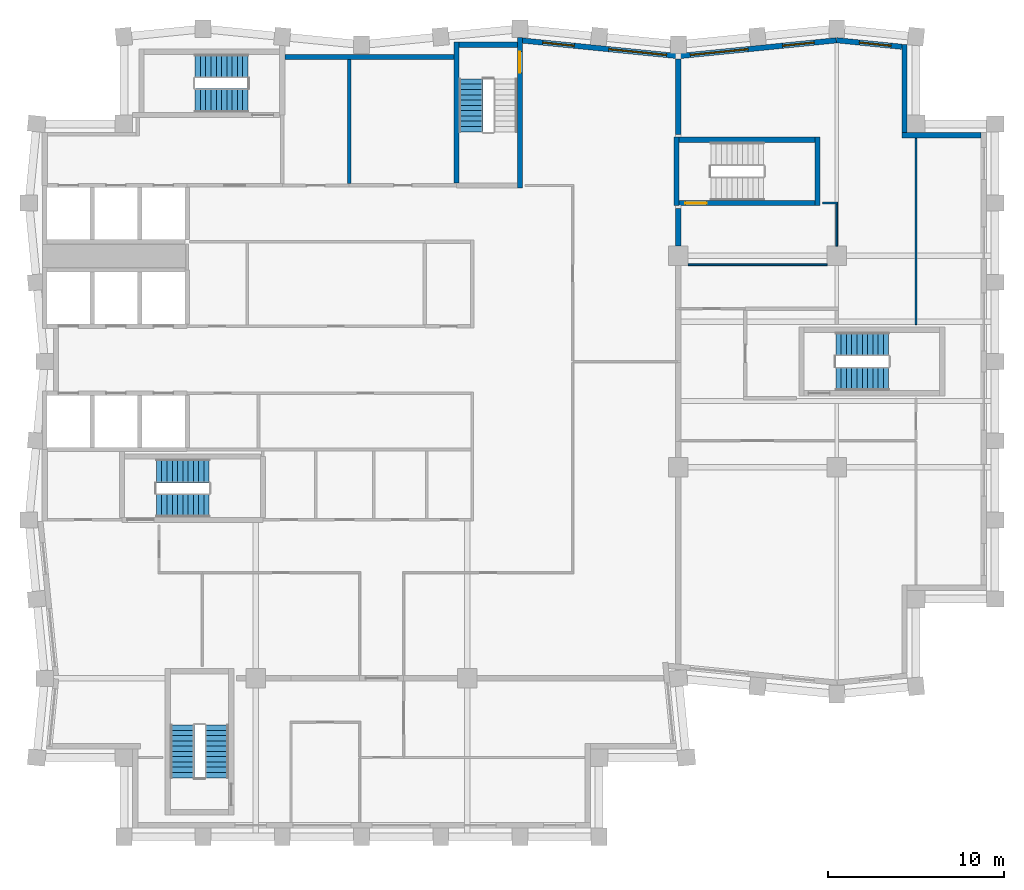
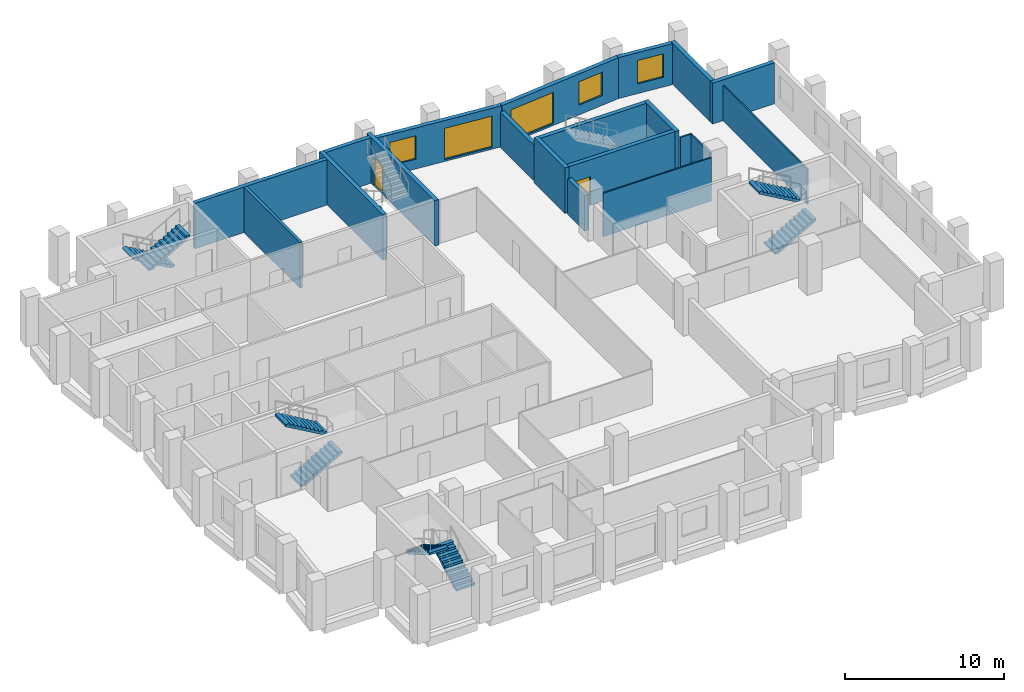
# One storey, part 6 of 8: 20 walls, 9 stair flights, 5 windows, 2 doors, 7 openings, 5 elements without a shape of their own.
"""IFC4 building model written with IfcOpenShell, lengths in metres."""

from ifc_helpers import new_model, si_unit, direction, frame, frame_2d, origin, place, context, subcontext, project, spatial, polyline, rectangle, outline, extrude, material, layer, layer_set, type_object, element, fill, aggregate, save


model = new_model("IFC4")

# Units and contexts
model_context = context("Model", 3, precision=1e-05, world=origin(), true_north=direction((0.0, 1.0)))
body_context = subcontext(model_context, "Body", "Model", "MODEL_VIEW")
ifc_project = project(units=[si_unit("LENGTHUNIT", "METRE"), si_unit("AREAUNIT", "SQUARE_METRE"), si_unit("VOLUMEUNIT", "CUBIC_METRE"), si_unit("PLANEANGLEUNIT", "RADIAN"), si_unit("MASSUNIT", "GRAM", prefix="KILO")], contexts=[model_context])

# Site, building, storey
site_placement = place(None, origin())
site = spatial("IfcSite", under=ifc_project, at=site_placement, CompositionType="ELEMENT")
building_placement = place(site_placement, origin())
building = spatial("IfcBuilding", under=site, at=building_placement, Name="Brondeck Convention Tower", CompositionType="ELEMENT")
storey_placement = place(building_placement, frame((0.0, 0.0, 240.60009765625)))
storey = spatial("IfcBuildingStorey", under=building, at=storey_placement, Name="L59", CompositionType="ELEMENT", Elevation=240.60009765625)

# Walls
ifc_material_1 = material(Name="Concrete compartment wall C30/37", Category="concrete")
ifc_layer_1 = layer(ifc_material_1, 0.300048828125)
ifc_layer_set_1 = layer_set([ifc_layer_1], Name="Compartment wall 300")
wall_type_1 = type_object("IfcWallType", Name="Compartment wall 300", PredefinedType="PARTITIONING", material=ifc_layer_set_1)
wall_1_placement = place(storey_placement, frame((36.0, 51.554931640625, 0.0), z_axis=(0.0, 0.0, 1.0), x_axis=(0.0, 1.0, 0.0)))
element("IfcWall", 1, at=wall_1_placement, inside=storey, type_object=wall_type_1, Name="FLR-L59-W045", PredefinedType="PARTITIONING", context=body_context, shape_type="SweptSolid", body=[
    extrude(rectangle(XDim=2.14501953125, YDim=0.300048828125, at=frame_2d((1.072509765625, 0.0))), origin(), (0.0, 0.0, 1.0), 2.72998046875),
])
wall_2_placement = place(storey_placement, frame((36.0, 57.89990234375, 0.0), z_axis=(0.0, 0.0, 1.0), x_axis=(0.0, 1.0, 0.0)))
element("IfcWall", 2, at=wall_2_placement, inside=storey, type_object=wall_type_1, Name="FLR-L59-W050", PredefinedType="PARTITIONING", context=body_context, shape_type="SweptSolid", body=[
    extrude(rectangle(XDim=4.2763671875, YDim=0.300048828125, at=frame_2d((2.13818359375, 0.0))), origin(), (0.0, 0.0, 1.0), 2.72998046875),
])
ifc_material_2 = material(Name="Concrete C50/60", Category="concrete")
ifc_layer_2 = layer(ifc_material_2, 0.300048828125)
ifc_layer_set_2 = layer_set([ifc_layer_2], Name="Core outer wall 300 Concrete C50/60")
wall_type_2 = type_object("IfcWallType", Name="Core outer wall 300 Concrete C50/60", PredefinedType="SHEAR", material=ifc_layer_set_2)
wall_3_placement = place(storey_placement, frame((13.64990234375, 62.300048828125, 0.0), z_axis=(0.0, 0.0, 1.0), x_axis=(1.0, 0.0, 0.0)))
element("IfcWall", 3, at=wall_3_placement, inside=storey, type_object=wall_type_2, Name="L59 core wall", PredefinedType="SHEAR", context=body_context, shape_type="SweptSolid", body=[
    extrude(rectangle(XDim=9.60009765625, YDim=0.300048828125, at=frame_2d((4.800048828125, 0.0))), origin(), (0.0, 0.0, 1.0), 3.5),
])
ifc_material_3 = material(Name="Precast concrete C50/60 bronze finish", Category="concrete")
ifc_layer_3 = layer(ifc_material_3, 0.070068359375, Name="Bronze precast facing")
ifc_material_4 = material(Name="Mineral wool")
ifc_layer_4 = layer(ifc_material_4, 0.159912109375, Name="Insulation")
ifc_material_5 = material(Name="Concrete C35/45", Category="concrete")
ifc_layer_5 = layer(ifc_material_5, 0.070068359375, Name="Backing")
ifc_layer_set_3 = layer_set([ifc_layer_3, ifc_layer_4, ifc_layer_5], Name="External infill wall, precast concrete C50/60 bronze facing")
wall_type_3 = type_object("IfcWallType", Name="External infill wall, precast concrete C50/60 bronze facing", PredefinedType="SOLIDWALL", material=ifc_layer_set_3)
wall_4_placement = place(storey_placement, frame((48.699951171875, 57.85009765625, 0.0), z_axis=(0.0, 0.0, 1.0), x_axis=(1.0, 0.0, 0.0)))
element("IfcWall", 4, at=wall_4_placement, inside=storey, type_object=wall_type_3, Name="ENV-EW-L59-P2-NC-NEA54-01", PredefinedType="SOLIDWALL", context=body_context, shape_type="SweptSolid", body=[
    extrude(rectangle(XDim=4.501953125, YDim=0.300048828125, at=frame_2d((2.2509765625, 0.0))), origin(), (0.0, 0.0, 1.0), 3.14990234375),
])
wall_5_placement = place(storey_placement, frame((48.85009765625, 62.99755859375, 0.0), z_axis=(0.0, 0.0, 1.0), x_axis=(0.0, -1.0, 0.0)))
element("IfcWall", 5, at=wall_5_placement, inside=storey, type_object=wall_type_3, Name="ENV-EW-L59-P2-NC-NEA54-02", PredefinedType="SOLIDWALL", context=body_context, shape_type="SweptSolid", body=[
    extrude(rectangle(XDim=4.99951171875, YDim=0.300048828125, at=frame_2d((2.499755859375, 0.0))), origin(), (0.0, 0.0, 1.0), 3.14990234375),
])

# Wall, opening, window
wall_6_placement = place(storey_placement, frame((44.985107421875, 63.248291015625, 0.0), z_axis=(0.0, 0.0, 1.0), x_axis=(0.995037837869, -0.099497242219, 0.0)))
wall_6 = element("IfcWall", 6, at=wall_6_placement, inside=storey, type_object=wall_type_3, Name="ENV-EW-L59-P2-A-N-10", PredefinedType="SOLIDWALL", context=body_context, shape_type="SweptSolid", body=[
    extrude(rectangle(XDim=3.732177734375, YDim=0.300048828125, at=frame_2d((1.8662109375, 0.0))), origin(), (0.0, 0.0, 1.0), 3.14990234375),
])
opening_1_placement = place(wall_6_placement, frame((1.311279296875, 0.0, 0.75)))
opening_1 = element("IfcOpeningElement", 7, at=opening_1_placement, cuts=wall_6, Name="Opening W10", PredefinedType="OPENING", context=body_context, shape_type="SweptSolid", body=[
    extrude(rectangle(XDim=1.800048828125, YDim=1.800048828125, at=frame_2d((0.89990234375, 0.89990234375))), frame((0.0, 0.159912109375, 0.0), z_axis=(0.0, -1.0, 0.0), x_axis=(1.0, 0.0, 0.0)), (0.0, 0.0, 1.0), 0.320068359375),
])
ifc_material_6 = material(Name="Bronze tinted double glazing", Category="glass")
window_type_1 = type_object("IfcWindowType", Name="Punched window, bronze tinted", PartitioningType="SINGLE_PANEL", PredefinedType="WINDOW", material=ifc_material_6)
window_1_placement = place(opening_1_placement, origin())
window_1 = element("IfcWindow", 8, at=window_1_placement, inside=storey, type_object=window_type_1, Name="ENV-WN-L59-P2-A-N-10", OverallHeight=1.800048828125, OverallWidth=1.800048828125, PartitioningType="SINGLE_PANEL", PredefinedType="WINDOW", context=body_context, shape_type="SweptSolid", body=[
    extrude(rectangle(XDim=1.800048828125, YDim=1.800048828125, at=frame_2d((0.89990234375, 0.89990234375))), frame((0.0, 0.030029296875, 0.0), z_axis=(0.0, -1.0, 0.0), x_axis=(1.0, 0.0, 0.0)), (0.0, 0.0, 1.0), 0.06005859375),
])
fill(opening_1, window_1)

# Wall, openings, windows
wall_7_placement = place(storey_placement, frame((35.985107421875, 62.34521484375, 0.0), z_axis=(0.0, 0.0, 1.0), x_axis=(0.995035316196, 0.099522457379, 0.0)))
wall_7 = element("IfcWall", 9, at=wall_7_placement, inside=storey, type_object=wall_type_3, Name="ENV-EW-L59-P2-A-N-09", PredefinedType="SOLIDWALL", context=body_context, shape_type="SweptSolid", body=[
    extrude(rectangle(XDim=9.030029296875, YDim=0.300048828125, at=frame_2d((4.51513671875, 0.0))), origin(), (0.0, 0.0, 1.0), 3.14990234375),
])
opening_2_placement = place(wall_7_placement, frame((0.691162109375, 0.0, 0.14990234375)))
opening_2 = element("IfcOpeningElement", 10, at=opening_2_placement, cuts=wall_7, Name="Opening W9", PredefinedType="OPENING", context=body_context, shape_type="SweptSolid", body=[
    extrude(rectangle(XDim=3.300048828125, YDim=2.39990234375, at=frame_2d((1.64990234375, 1.199951171875))), frame((0.0, 0.159912109375, 0.0), z_axis=(0.0, -1.0, 0.0), x_axis=(1.0, 0.0, 0.0)), (0.0, 0.0, 1.0), 0.320068359375),
])
opening_3_placement = place(wall_7_placement, frame((5.963623046875, 0.0, 0.75)))
opening_3 = element("IfcOpeningElement", 11, at=opening_3_placement, cuts=wall_7, Name="Opening W10", PredefinedType="OPENING", context=body_context, shape_type="SweptSolid", body=[
    extrude(rectangle(XDim=1.800048828125, YDim=1.800048828125, at=frame_2d((0.89990234375, 0.89990234375))), frame((0.0, 0.159912109375, 0.0), z_axis=(0.0, -1.0, 0.0), x_axis=(1.0, 0.0, 0.0)), (0.0, 0.0, 1.0), 0.320068359375),
])
window_type_2 = type_object("IfcWindowType", Name="Glazed flute window, bronze tinted", PartitioningType="SINGLE_PANEL", PredefinedType="WINDOW", material=ifc_material_6)
window_2_placement = place(opening_2_placement, origin())
window_2 = element("IfcWindow", 12, at=window_2_placement, inside=storey, type_object=window_type_2, Name="ENV-WN-L59-P2-A-N-08", OverallHeight=2.39990234375, OverallWidth=3.300048828125, PartitioningType="SINGLE_PANEL", PredefinedType="WINDOW", context=body_context, shape_type="SweptSolid", body=[
    extrude(rectangle(XDim=3.300048828125, YDim=2.39990234375, at=frame_2d((1.64990234375, 1.199951171875))), frame((0.0, 0.030029296875, 0.0), z_axis=(0.0, -1.0, 0.0), x_axis=(1.0, 0.0, 0.0)), (0.0, 0.0, 1.0), 0.06005859375),
])
fill(opening_2, window_2)
window_3_placement = place(opening_3_placement, origin())
window_3 = element("IfcWindow", 13, at=window_3_placement, inside=storey, type_object=window_type_1, Name="ENV-WN-L59-P2-A-N-09", OverallHeight=1.800048828125, OverallWidth=1.800048828125, PartitioningType="SINGLE_PANEL", PredefinedType="WINDOW", context=body_context, shape_type="SweptSolid", body=[
    extrude(rectangle(XDim=1.800048828125, YDim=1.800048828125, at=frame_2d((0.89990234375, 0.89990234375))), frame((0.0, 0.030029296875, 0.0), z_axis=(0.0, -1.0, 0.0), x_axis=(1.0, 0.0, 0.0)), (0.0, 0.0, 1.0), 0.06005859375),
])
fill(opening_3, window_3)

wall_8_placement = place(storey_placement, frame((27.084716796875, 63.23828125, 0.0), z_axis=(0.0, 0.0, 1.0), x_axis=(0.995035836657, -0.099517253618, 0.0)))
wall_8 = element("IfcWall", 14, at=wall_8_placement, inside=storey, type_object=wall_type_3, Name="ENV-EW-L59-P2-A-N-07", PredefinedType="SOLIDWALL", context=body_context, shape_type="SweptSolid", body=[
    extrude(rectangle(XDim=8.929931640625, YDim=0.300048828125, at=frame_2d((4.46484375, 0.0))), origin(), (0.0, 0.0, 1.0), 3.14990234375),
])
opening_4_placement = place(wall_8_placement, frame((1.211181640625, 0.0, 0.75)))
opening_4 = element("IfcOpeningElement", 15, at=opening_4_placement, cuts=wall_8, Name="Opening W10", PredefinedType="OPENING", context=body_context, shape_type="SweptSolid", body=[
    extrude(rectangle(XDim=1.800048828125, YDim=1.800048828125, at=frame_2d((0.89990234375, 0.89990234375))), frame((0.0, 0.159912109375, 0.0), z_axis=(0.0, -1.0, 0.0), x_axis=(1.0, 0.0, 0.0)), (0.0, 0.0, 1.0), 0.320068359375),
])
opening_5_placement = place(wall_8_placement, frame((4.983642578125, 0.0, 0.14990234375)))
opening_5 = element("IfcOpeningElement", 16, at=opening_5_placement, cuts=wall_8, Name="Opening W9", PredefinedType="OPENING", context=body_context, shape_type="SweptSolid", body=[
    extrude(rectangle(XDim=3.300048828125, YDim=2.39990234375, at=frame_2d((1.64990234375, 1.199951171875))), frame((0.0, 0.159912109375, 0.0), z_axis=(0.0, -1.0, 0.0), x_axis=(1.0, 0.0, 0.0)), (0.0, 0.0, 1.0), 0.320068359375),
])
window_4_placement = place(opening_5_placement, origin())
window_4 = element("IfcWindow", 17, at=window_4_placement, inside=storey, type_object=window_type_2, Name="ENV-WN-L59-P2-A-N-07", OverallHeight=2.39990234375, OverallWidth=3.300048828125, PartitioningType="SINGLE_PANEL", PredefinedType="WINDOW", context=body_context, shape_type="SweptSolid", body=[
    extrude(rectangle(XDim=3.300048828125, YDim=2.39990234375, at=frame_2d((1.64990234375, 1.199951171875))), frame((0.0, 0.030029296875, 0.0), z_axis=(0.0, -1.0, 0.0), x_axis=(1.0, 0.0, 0.0)), (0.0, 0.0, 1.0), 0.06005859375),
])
fill(opening_5, window_4)
window_5_placement = place(opening_4_placement, origin())
window_5 = element("IfcWindow", 18, at=window_5_placement, inside=storey, type_object=window_type_1, Name="ENV-WN-L59-P2-A-N-06", OverallHeight=1.800048828125, OverallWidth=1.800048828125, PartitioningType="SINGLE_PANEL", PredefinedType="WINDOW", context=body_context, shape_type="SweptSolid", body=[
    extrude(rectangle(XDim=1.800048828125, YDim=1.800048828125, at=frame_2d((0.89990234375, 0.89990234375))), frame((0.0, 0.030029296875, 0.0), z_axis=(0.0, -1.0, 0.0), x_axis=(1.0, 0.0, 0.0)), (0.0, 0.0, 1.0), 0.06005859375),
])
fill(opening_4, window_5)

# Walls
ifc_material_7 = material(Name="Fire-rated gypsum board partition")
ifc_layer_6 = layer(ifc_material_7, 0.199951171875)
ifc_layer_set_4 = layer_set([ifc_layer_6], Name="Riser wall 200 EI 120")
wall_type_4 = type_object("IfcWallType", Name="Riser wall 200 EI 120", PredefinedType="PARTITIONING", material=ifc_layer_set_4)
wall_9_placement = place(storey_placement, frame((17.300048828125, 55.10009765625, 0.0), z_axis=(0.0, 0.0, 1.0), x_axis=(0.0, 1.0, 0.0)))
element("IfcWall", 19, at=wall_9_placement, inside=storey, type_object=wall_type_4, Name="L59 core wall", PredefinedType="PARTITIONING", context=body_context, shape_type="SweptSolid", body=[
    extrude(rectangle(XDim=7.0498046875, YDim=0.199951171875, at=frame_2d((3.52490234375, 0.0))), origin(), (0.0, 0.0, 1.0), 3.5),
])
ifc_material_8 = material(Name="Gypsum board partition on steel studs", Category="steel")
ifc_layer_7 = layer(ifc_material_8, 0.10009765625)
ifc_layer_set_5 = layer_set([ifc_layer_7], Name="Room partition 100")
wall_type_5 = type_object("IfcWallType", Name="Room partition 100", PredefinedType="PARTITIONING", material=ifc_layer_set_5)
wall_10_placement = place(storey_placement, frame((49.5, 47.10009765625, 0.0), z_axis=(0.0, 0.0, 1.0), x_axis=(0.0, 1.0, 0.0)))
element("IfcWall", 20, at=wall_10_placement, inside=storey, type_object=wall_type_5, Name="FLR-L59-W038", PredefinedType="PARTITIONING", context=body_context, shape_type="SweptSolid", body=[
    extrude(rectangle(XDim=10.579833984375, YDim=0.10009765625, at=frame_2d((5.2900390625, 0.0))), origin(), (0.0, 0.0, 1.0), 2.72998046875),
])
wall_11_placement = place(storey_placement, frame((44.445068359375, 50.5, 0.0), z_axis=(0.0, 0.0, 1.0), x_axis=(-1.0, 0.0, 0.0)))
element("IfcWall", 21, at=wall_11_placement, inside=storey, type_object=wall_type_5, Name="FLR-L59-W044", PredefinedType="PARTITIONING", context=body_context, shape_type="SweptSolid", body=[
    extrude(rectangle(XDim=7.89013671875, YDim=0.10009765625, at=frame_2d((3.945068359375, 0.0))), origin(), (0.0, 0.0, 1.0), 3.329833984375),
])
wall_12_placement = place(storey_placement, frame((45.0, 53.949951171875, 0.0), z_axis=(0.0, 0.0, 1.0), x_axis=(0.0, -1.0, 0.0)))
element("IfcWall", 22, at=wall_12_placement, inside=storey, type_object=wall_type_5, Name="FLR-L59-W046", PredefinedType="PARTITIONING", context=body_context, shape_type="SweptSolid", body=[
    extrude(rectangle(XDim=2.39501953125, YDim=0.10009765625, at=frame_2d((1.197509765625, 0.0))), origin(), (0.0, 0.0, 1.0), 2.829833984375),
])
wall_13_placement = place(storey_placement, frame((44.199951171875, 54.0, 0.0), z_axis=(0.0, 0.0, 1.0), x_axis=(1.0, 0.0, 0.0)))
element("IfcWall", 23, at=wall_13_placement, inside=storey, type_object=wall_type_5, Name="FLR-L59-W047", PredefinedType="PARTITIONING", context=body_context, shape_type="SweptSolid", body=[
    extrude(rectangle(XDim=0.85009765625, YDim=0.10009765625, at=frame_2d((0.425048828125, 0.0))), origin(), (0.0, 0.0, 1.0), 2.829833984375),
])

# Wall, opening, door
ifc_layer_8 = layer(ifc_material_2, 0.300048828125)
ifc_layer_set_6 = layer_set([ifc_layer_8], Name="Stair enclosure wall 300 Concrete C50/60")
wall_type_6 = type_object("IfcWallType", Name="Stair enclosure wall 300 Concrete C50/60", PredefinedType="SHEAR", material=ifc_layer_set_6)
wall_14_placement = place(storey_placement, frame((36.050048828125, 54.0, 0.0), z_axis=(0.0, 0.0, 1.0), x_axis=(1.0, 0.0, 0.0)))
wall_14 = element("IfcWall", 24, at=wall_14_placement, inside=storey, type_object=wall_type_6, Name="L59 core wall", PredefinedType="SHEAR", context=body_context, shape_type="SweptSolid", body=[
    extrude(rectangle(XDim=7.699951171875, YDim=0.300048828125, at=frame_2d((3.85009765625, 0.0))), origin(), (0.0, 0.0, 1.0), 3.5),
])
opening_6_placement = place(wall_14_placement, frame((0.35009765625, 0.0, 0.0)))
opening_6 = element("IfcOpeningElement", 25, at=opening_6_placement, cuts=wall_14, Name="Opening C32-17", PredefinedType="OPENING", context=body_context, shape_type="SweptSolid", body=[
    extrude(rectangle(XDim=1.199951171875, YDim=2.199951171875, at=frame_2d((0.60009765625, 1.10009765625))), frame((0.0, 0.159912109375, 0.0), z_axis=(0.0, -1.0, 0.0), x_axis=(1.0, 0.0, 0.0)), (0.0, 0.0, 1.0), 0.320068359375),
])
ifc_material_9 = material(Name="Steel fire door", Category="steel")
door_type = type_object("IfcDoorType", Name="Stair door 1200x2200 EI 90", OperationType="NOTDEFINED", PredefinedType="DOOR", material=ifc_material_9)
door_1_placement = place(opening_6_placement, origin())
door_1 = element("IfcDoor", 26, at=door_1_placement, inside=storey, type_object=door_type, Name="L59 Stair door ST-AE", OperationType="SINGLE_SWING_LEFT", OverallHeight=2.199951171875, OverallWidth=1.199951171875, PredefinedType="DOOR", context=body_context, shape_type="SweptSolid", body=[
    extrude(rectangle(XDim=1.199951171875, YDim=2.199951171875, at=frame_2d((0.60009765625, 1.10009765625))), frame((0.0, 0.02490234375, 0.0), z_axis=(0.0, -1.0, 0.0), x_axis=(1.0, 0.0, 0.0)), (0.0, 0.0, 1.0), 0.050048828125),
])
fill(opening_6, door_1)

# Walls
wall_15_placement = place(storey_placement, frame((36.050048828125, 57.60009765625, 0.0), z_axis=(0.0, 0.0, 1.0), x_axis=(1.0, 0.0, 0.0)))
element("IfcWall", 27, at=wall_15_placement, inside=storey, type_object=wall_type_6, Name="L59 core wall", PredefinedType="SHEAR", context=body_context, shape_type="SweptSolid", body=[
    extrude(rectangle(XDim=7.699951171875, YDim=0.300048828125, at=frame_2d((3.85009765625, 0.0))), origin(), (0.0, 0.0, 1.0), 3.5),
])
wall_16_placement = place(storey_placement, frame((23.550048828125, 63.0, 0.0), z_axis=(0.0, 0.0, 1.0), x_axis=(1.0, 0.0, 0.0)))
element("IfcWall", 28, at=wall_16_placement, inside=storey, type_object=wall_type_6, Name="L59 core wall", PredefinedType="SHEAR", context=body_context, shape_type="SweptSolid", body=[
    extrude(rectangle(XDim=3.300048828125, YDim=0.300048828125, at=frame_2d((1.64990234375, 0.0))), origin(), (0.0, 0.0, 1.0), 3.5),
])
wall_17_placement = place(storey_placement, frame((23.39990234375, 55.14990234375, 0.0), z_axis=(0.0, 0.0, 1.0), x_axis=(0.0, 1.0, 0.0)))
element("IfcWall", 29, at=wall_17_placement, inside=storey, type_object=wall_type_6, Name="L59 core wall", PredefinedType="SHEAR", context=body_context, shape_type="SweptSolid", body=[
    extrude(rectangle(XDim=8.0, YDim=0.300048828125, at=frame_2d((4.0, 0.0))), origin(), (0.0, 0.0, 1.0), 3.5),
])

# Wall, opening, door
wall_18_placement = place(storey_placement, frame((27.0, 54.85009765625, 0.0), z_axis=(0.0, 0.0, 1.0), x_axis=(0.0, 1.0, 0.0)))
wall_18 = element("IfcWall", 30, at=wall_18_placement, inside=storey, type_object=wall_type_6, Name="L59 core wall", PredefinedType="SHEAR", context=body_context, shape_type="SweptSolid", body=[
    extrude(rectangle(XDim=8.5498046875, YDim=0.300048828125, at=frame_2d((4.27490234375, 0.0))), origin(), (0.0, 0.0, 1.0), 3.5),
])
opening_7_placement = place(wall_18_placement, frame((6.550048828125, 0.0, 0.0)))
opening_7 = element("IfcOpeningElement", 31, at=opening_7_placement, cuts=wall_18, Name="Opening C32-15", PredefinedType="OPENING", context=body_context, shape_type="SweptSolid", body=[
    extrude(rectangle(XDim=1.199951171875, YDim=2.199951171875, at=frame_2d((0.60009765625, 1.10009765625))), frame((0.0, 0.159912109375, 0.0), z_axis=(0.0, -1.0, 0.0), x_axis=(1.0, 0.0, 0.0)), (0.0, 0.0, 1.0), 0.320068359375),
])
door_2_placement = place(opening_7_placement, origin())
door_2 = element("IfcDoor", 32, at=door_2_placement, inside=storey, type_object=door_type, Name="L59 Stair door ST-2", OperationType="SINGLE_SWING_LEFT", OverallHeight=2.199951171875, OverallWidth=1.199951171875, PredefinedType="DOOR", context=body_context, shape_type="SweptSolid", body=[
    extrude(rectangle(XDim=1.199951171875, YDim=2.199951171875, at=frame_2d((0.60009765625, 1.10009765625))), frame((0.0, 0.02490234375, 0.0), z_axis=(0.0, -1.0, 0.0), x_axis=(1.0, 0.0, 0.0)), (0.0, 0.0, 1.0), 0.050048828125),
])
fill(opening_7, door_2)

# Walls
for number, where, z_axis, x_axis, name in (
    (33, (35.89990234375, 53.85009765625, 0.0), (0.0, 0.0, 1.0), (0.0, 1.0, 0.0), "L59 core wall"),
    (34, (43.89990234375, 53.85009765625, 0.0), (0.0, 0.0, 1.0), (0.0, 1.0, 0.0), "L59 core wall"),
):
    element("IfcWall", number, at=place(storey_placement, frame(where, z_axis=z_axis, x_axis=x_axis)), inside=storey, type_object=wall_type_6, Name=name, PredefinedType="SHEAR", context=body_context, shape_type="SweptSolid", body=[
        extrude(rectangle(XDim=3.89990234375, YDim=0.300048828125, at=frame_2d((1.949951171875, 0.0))), origin(), (0.0, 0.0, 1.0), 3.5),
    ])

# Stair, stair flights
ifc_material_10 = material(Name="Precast concrete C50/60", Category="concrete")
stair_type = type_object("IfcStairType", Name="Core stair 22 risers 172.73 mm riser 300 mm going 1350 wide", PredefinedType="HALF_TURN_STAIR", material=ifc_material_10)
stair_1_placement = place(storey_placement, origin())
stair_1 = element("IfcStair", 35, at=stair_1_placement, inside=storey, type_object=stair_type, Name="ST-1 L59 stair", PredefinedType="HALF_TURN_STAIR")
stair_flight_type = type_object("IfcStairFlightType", Name="Core stair flight 22 risers 172.73 mm riser 300 mm going 1350 wide", PredefinedType="STRAIGHT", material=ifc_material_10)
stair_flight_1_placement = place(storey_placement, frame((6.35009765625, 36.824951171875, 0.0), z_axis=(0.0, 0.0, 1.0), x_axis=(1.0, 0.0, 0.0)))
stair_flight_1 = element("IfcStairFlight", 36, at=stair_flight_1_placement, type_object=stair_flight_type, Name="ST-1 flight 1", NumberOfRisers=11, NumberOfTreads=10, PredefinedType="STRAIGHT", RiserHeight=0.172727273, TreadLength=0.3, context=body_context, shape_type="SweptSolid", body=[
    extrude(outline(polyline([(0.0, 0.0), (0.0, 0.172607421875), (0.300048828125, 0.172607421875), (0.300048828125, 0.345458984375), (0.60009765625, 0.345458984375), (0.60009765625, 0.51806640625), (0.89990234375, 0.51806640625), (0.89990234375, 0.69091796875), (1.199951171875, 0.69091796875), (1.199951171875, 0.863525390625), (1.5, 0.863525390625), (1.5, 1.036376953125), (1.800048828125, 1.036376953125), (1.800048828125, 1.208984375), (2.10009765625, 1.208984375), (2.10009765625, 1.3818359375), (2.39990234375, 1.3818359375), (2.39990234375, 1.554443359375), (2.699951171875, 1.554443359375), (2.699951171875, 1.727294921875), (3.0, 1.727294921875), (3.0, 1.89990234375), (3.0, 1.55419921875), (0.300537109375, 0.0), (0.0, 0.0)])), frame((0.0, 0.675048828125, 0.0), z_axis=(0.0, -1.0, 0.0), x_axis=(1.0, 0.0, 0.0)), (0.0, 0.0, 1.0), 1.35009765625),
])
stair_flight_2_placement = place(storey_placement, frame((9.35009765625, 38.77490234375, 1.89990234375), z_axis=(0.0, 0.0, 1.0), x_axis=(-1.0, 0.0, 0.0)))
stair_flight_2 = element("IfcStairFlight", 37, at=stair_flight_2_placement, type_object=stair_flight_type, Name="ST-1 flight 2", NumberOfRisers=11, NumberOfTreads=10, PredefinedType="STRAIGHT", RiserHeight=0.172727273, TreadLength=0.3, context=body_context, shape_type="SweptSolid", body=[
    extrude(outline(polyline([(0.0, 0.0), (0.0, 0.172607421875), (0.300048828125, 0.172607421875), (0.300048828125, 0.345458984375), (0.60009765625, 0.345458984375), (0.60009765625, 0.51806640625), (0.89990234375, 0.51806640625), (0.89990234375, 0.69091796875), (1.199951171875, 0.69091796875), (1.199951171875, 0.863525390625), (1.5, 0.863525390625), (1.5, 1.036376953125), (1.800048828125, 1.036376953125), (1.800048828125, 1.208984375), (2.10009765625, 1.208984375), (2.10009765625, 1.3818359375), (2.39990234375, 1.3818359375), (2.39990234375, 1.554443359375), (2.699951171875, 1.554443359375), (2.699951171875, 1.727294921875), (3.0, 1.727294921875), (3.0, 1.89990234375), (3.0, 1.55419921875), (0.300537109375, 0.0), (0.0, 0.0)])), frame((0.0, 0.675048828125, 0.0), z_axis=(0.0, -1.0, 0.0), x_axis=(1.0, 0.0, 0.0)), (0.0, 0.0, 1.0), 1.35009765625),
])
aggregate(stair_1, [stair_flight_1, stair_flight_2])

# Stair, stair flight
stair_2_placement = place(storey_placement, origin())
stair_2 = element("IfcStair", 38, at=stair_2_placement, inside=storey, type_object=stair_type, Name="ST-2 L59 stair", PredefinedType="HALF_TURN_STAIR")
stair_flight_3_placement = place(storey_placement, frame((24.22509765625, 61.050048828125, 0.0), z_axis=(0.0, 0.0, 1.0), x_axis=(0.0, -1.0, 0.0)))
stair_flight_3 = element("IfcStairFlight", 39, at=stair_flight_3_placement, type_object=stair_flight_type, Name="ST-2 flight 1", NumberOfRisers=11, NumberOfTreads=10, PredefinedType="STRAIGHT", RiserHeight=0.172727273, TreadLength=0.3, context=body_context, shape_type="SweptSolid", body=[
    extrude(outline(polyline([(0.0, 0.0), (0.0, 0.172607421875), (0.300048828125, 0.172607421875), (0.300048828125, 0.345458984375), (0.60009765625, 0.345458984375), (0.60009765625, 0.51806640625), (0.89990234375, 0.51806640625), (0.89990234375, 0.69091796875), (1.199951171875, 0.69091796875), (1.199951171875, 0.863525390625), (1.5, 0.863525390625), (1.5, 1.036376953125), (1.800048828125, 1.036376953125), (1.800048828125, 1.208984375), (2.10009765625, 1.208984375), (2.10009765625, 1.3818359375), (2.39990234375, 1.3818359375), (2.39990234375, 1.554443359375), (2.699951171875, 1.554443359375), (2.699951171875, 1.727294921875), (3.0, 1.727294921875), (3.0, 1.89990234375), (3.0, 1.55419921875), (0.300537109375, 0.0), (0.0, 0.0)])), frame((0.0, 0.675048828125, 0.0), z_axis=(0.0, -1.0, 0.0), x_axis=(1.0, 0.0, 0.0)), (0.0, 0.0, 1.0), 1.35009765625),
])
aggregate(stair_2, [stair_flight_3])

# Stair, stair flights
stair_3_placement = place(storey_placement, origin())
stair_3 = element("IfcStair", 40, at=stair_3_placement, inside=storey, type_object=stair_type, Name="ST-3 L59 stair", PredefinedType="HALF_TURN_STAIR")
stair_flight_4_placement = place(storey_placement, frame((11.550048828125, 61.77490234375, 0.0), z_axis=(0.0, 0.0, 1.0), x_axis=(-1.0, 0.0, 0.0)))
stair_flight_4 = element("IfcStairFlight", 41, at=stair_flight_4_placement, type_object=stair_flight_type, Name="ST-3 flight 1", NumberOfRisers=11, NumberOfTreads=10, PredefinedType="STRAIGHT", RiserHeight=0.172727273, TreadLength=0.3, context=body_context, shape_type="SweptSolid", body=[
    extrude(outline(polyline([(0.0, 0.0), (0.0, 0.172607421875), (0.300048828125, 0.172607421875), (0.300048828125, 0.345458984375), (0.60009765625, 0.345458984375), (0.60009765625, 0.51806640625), (0.89990234375, 0.51806640625), (0.89990234375, 0.69091796875), (1.199951171875, 0.69091796875), (1.199951171875, 0.863525390625), (1.5, 0.863525390625), (1.5, 1.036376953125), (1.800048828125, 1.036376953125), (1.800048828125, 1.208984375), (2.10009765625, 1.208984375), (2.10009765625, 1.3818359375), (2.39990234375, 1.3818359375), (2.39990234375, 1.554443359375), (2.699951171875, 1.554443359375), (2.699951171875, 1.727294921875), (3.0, 1.727294921875), (3.0, 1.89990234375), (3.0, 1.55419921875), (0.300537109375, 0.0), (0.0, 0.0)])), frame((0.0, 0.675048828125, 0.0), z_axis=(0.0, -1.0, 0.0), x_axis=(1.0, 0.0, 0.0)), (0.0, 0.0, 1.0), 1.35009765625),
])
stair_flight_5_placement = place(storey_placement, frame((8.550048828125, 59.824951171875, 1.89990234375), z_axis=(0.0, 0.0, 1.0), x_axis=(1.0, 0.0, 0.0)))
stair_flight_5 = element("IfcStairFlight", 42, at=stair_flight_5_placement, type_object=stair_flight_type, Name="ST-3 flight 2", NumberOfRisers=11, NumberOfTreads=10, PredefinedType="STRAIGHT", RiserHeight=0.172727273, TreadLength=0.3, context=body_context, shape_type="SweptSolid", body=[
    extrude(outline(polyline([(0.0, 0.0), (0.0, 0.172607421875), (0.300048828125, 0.172607421875), (0.300048828125, 0.345458984375), (0.60009765625, 0.345458984375), (0.60009765625, 0.51806640625), (0.89990234375, 0.51806640625), (0.89990234375, 0.69091796875), (1.199951171875, 0.69091796875), (1.199951171875, 0.863525390625), (1.5, 0.863525390625), (1.5, 1.036376953125), (1.800048828125, 1.036376953125), (1.800048828125, 1.208984375), (2.10009765625, 1.208984375), (2.10009765625, 1.3818359375), (2.39990234375, 1.3818359375), (2.39990234375, 1.554443359375), (2.699951171875, 1.554443359375), (2.699951171875, 1.727294921875), (3.0, 1.727294921875), (3.0, 1.89990234375), (3.0, 1.55419921875), (0.300537109375, 0.0), (0.0, 0.0)])), frame((0.0, 0.675048828125, 0.0), z_axis=(0.0, -1.0, 0.0), x_axis=(1.0, 0.0, 0.0)), (0.0, 0.0, 1.0), 1.35009765625),
])
aggregate(stair_3, [stair_flight_4, stair_flight_5])

stair_4_placement = place(storey_placement, origin())
stair_4 = element("IfcStair", 43, at=stair_4_placement, inside=storey, type_object=stair_type, Name="ST-BE L59 stair", PredefinedType="HALF_TURN_STAIR")
stair_flight_6_placement = place(storey_placement, frame((9.77490234375, 21.35009765625, 0.0), z_axis=(0.0, 0.0, 1.0), x_axis=(0.0, 1.0, 0.0)))
stair_flight_6 = element("IfcStairFlight", 44, at=stair_flight_6_placement, type_object=stair_flight_type, Name="ST-BE flight 1", NumberOfRisers=11, NumberOfTreads=10, PredefinedType="STRAIGHT", RiserHeight=0.172727273, TreadLength=0.3, context=body_context, shape_type="SweptSolid", body=[
    extrude(outline(polyline([(0.0, 0.0), (0.0, 0.172607421875), (0.300048828125, 0.172607421875), (0.300048828125, 0.345458984375), (0.60009765625, 0.345458984375), (0.60009765625, 0.51806640625), (0.89990234375, 0.51806640625), (0.89990234375, 0.69091796875), (1.199951171875, 0.69091796875), (1.199951171875, 0.863525390625), (1.5, 0.863525390625), (1.5, 1.036376953125), (1.800048828125, 1.036376953125), (1.800048828125, 1.208984375), (2.10009765625, 1.208984375), (2.10009765625, 1.3818359375), (2.39990234375, 1.3818359375), (2.39990234375, 1.554443359375), (2.699951171875, 1.554443359375), (2.699951171875, 1.727294921875), (3.0, 1.727294921875), (3.0, 1.89990234375), (3.0, 1.55419921875), (0.300537109375, 0.0), (0.0, 0.0)])), frame((0.0, 0.675048828125, 0.0), z_axis=(0.0, -1.0, 0.0), x_axis=(1.0, 0.0, 0.0)), (0.0, 0.0, 1.0), 1.35009765625),
])
stair_flight_7_placement = place(storey_placement, frame((7.824951171875, 24.35009765625, 1.89990234375), z_axis=(0.0, 0.0, 1.0), x_axis=(0.0, -1.0, 0.0)))
stair_flight_7 = element("IfcStairFlight", 45, at=stair_flight_7_placement, type_object=stair_flight_type, Name="ST-BE flight 2", NumberOfRisers=11, NumberOfTreads=10, PredefinedType="STRAIGHT", RiserHeight=0.172727273, TreadLength=0.3, context=body_context, shape_type="SweptSolid", body=[
    extrude(outline(polyline([(0.0, 0.0), (0.0, 0.172607421875), (0.300048828125, 0.172607421875), (0.300048828125, 0.345458984375), (0.60009765625, 0.345458984375), (0.60009765625, 0.51806640625), (0.89990234375, 0.51806640625), (0.89990234375, 0.69091796875), (1.199951171875, 0.69091796875), (1.199951171875, 0.863525390625), (1.5, 0.863525390625), (1.5, 1.036376953125), (1.800048828125, 1.036376953125), (1.800048828125, 1.208984375), (2.10009765625, 1.208984375), (2.10009765625, 1.3818359375), (2.39990234375, 1.3818359375), (2.39990234375, 1.554443359375), (2.699951171875, 1.554443359375), (2.699951171875, 1.727294921875), (3.0, 1.727294921875), (3.0, 1.89990234375), (3.0, 1.55419921875), (0.300537109375, 0.0), (0.0, 0.0)])), frame((0.0, 0.675048828125, 0.0), z_axis=(0.0, -1.0, 0.0), x_axis=(1.0, 0.0, 0.0)), (0.0, 0.0, 1.0), 1.35009765625),
])
aggregate(stair_4, [stair_flight_6, stair_flight_7])

stair_5_placement = place(storey_placement, origin())
stair_5 = element("IfcStair", 46, at=stair_5_placement, inside=storey, type_object=stair_type, Name="ST-AF L59 stair", PredefinedType="HALF_TURN_STAIR")
stair_flight_8_placement = place(storey_placement, frame((44.949951171875, 44.02490234375, 0.0), z_axis=(0.0, 0.0, 1.0), x_axis=(1.0, 0.0, 0.0)))
stair_flight_8 = element("IfcStairFlight", 47, at=stair_flight_8_placement, type_object=stair_flight_type, Name="ST-AF flight 1", NumberOfRisers=11, NumberOfTreads=10, PredefinedType="STRAIGHT", RiserHeight=0.172727273, TreadLength=0.3, context=body_context, shape_type="SweptSolid", body=[
    extrude(outline(polyline([(0.0, 0.0), (0.0, 0.172607421875), (0.300048828125, 0.172607421875), (0.300048828125, 0.345458984375), (0.60009765625, 0.345458984375), (0.60009765625, 0.51806640625), (0.89990234375, 0.51806640625), (0.89990234375, 0.69091796875), (1.199951171875, 0.69091796875), (1.199951171875, 0.863525390625), (1.5, 0.863525390625), (1.5, 1.036376953125), (1.800048828125, 1.036376953125), (1.800048828125, 1.208984375), (2.10009765625, 1.208984375), (2.10009765625, 1.3818359375), (2.39990234375, 1.3818359375), (2.39990234375, 1.554443359375), (2.699951171875, 1.554443359375), (2.699951171875, 1.727294921875), (3.0, 1.727294921875), (3.0, 1.89990234375), (3.0, 1.55419921875), (0.300537109375, 0.0), (0.0, 0.0)])), frame((0.0, 0.675048828125, 0.0), z_axis=(0.0, -1.0, 0.0), x_axis=(1.0, 0.0, 0.0)), (0.0, 0.0, 1.0), 1.35009765625),
])
stair_flight_9_placement = place(storey_placement, frame((47.949951171875, 45.97509765625, 1.89990234375), z_axis=(0.0, 0.0, 1.0), x_axis=(-1.0, 0.0, 0.0)))
stair_flight_9 = element("IfcStairFlight", 48, at=stair_flight_9_placement, type_object=stair_flight_type, Name="ST-AF flight 2", NumberOfRisers=11, NumberOfTreads=10, PredefinedType="STRAIGHT", RiserHeight=0.172727273, TreadLength=0.3, context=body_context, shape_type="SweptSolid", body=[
    extrude(outline(polyline([(0.0, 0.0), (0.0, 0.172607421875), (0.300048828125, 0.172607421875), (0.300048828125, 0.345458984375), (0.60009765625, 0.345458984375), (0.60009765625, 0.51806640625), (0.89990234375, 0.51806640625), (0.89990234375, 0.69091796875), (1.199951171875, 0.69091796875), (1.199951171875, 0.863525390625), (1.5, 0.863525390625), (1.5, 1.036376953125), (1.800048828125, 1.036376953125), (1.800048828125, 1.208984375), (2.10009765625, 1.208984375), (2.10009765625, 1.3818359375), (2.39990234375, 1.3818359375), (2.39990234375, 1.554443359375), (2.699951171875, 1.554443359375), (2.699951171875, 1.727294921875), (3.0, 1.727294921875), (3.0, 1.89990234375), (3.0, 1.55419921875), (0.300537109375, 0.0), (0.0, 0.0)])), frame((0.0, 0.675048828125, 0.0), z_axis=(0.0, -1.0, 0.0), x_axis=(1.0, 0.0, 0.0)), (0.0, 0.0, 1.0), 1.35009765625),
])
aggregate(stair_5, [stair_flight_8, stair_flight_9])

save(model, "model.ifc")
